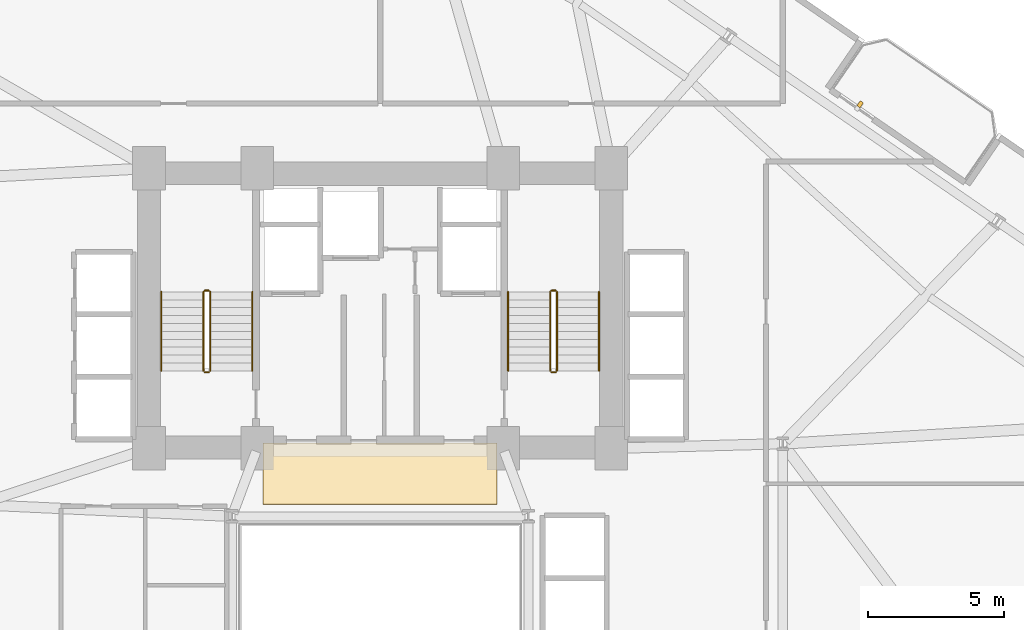
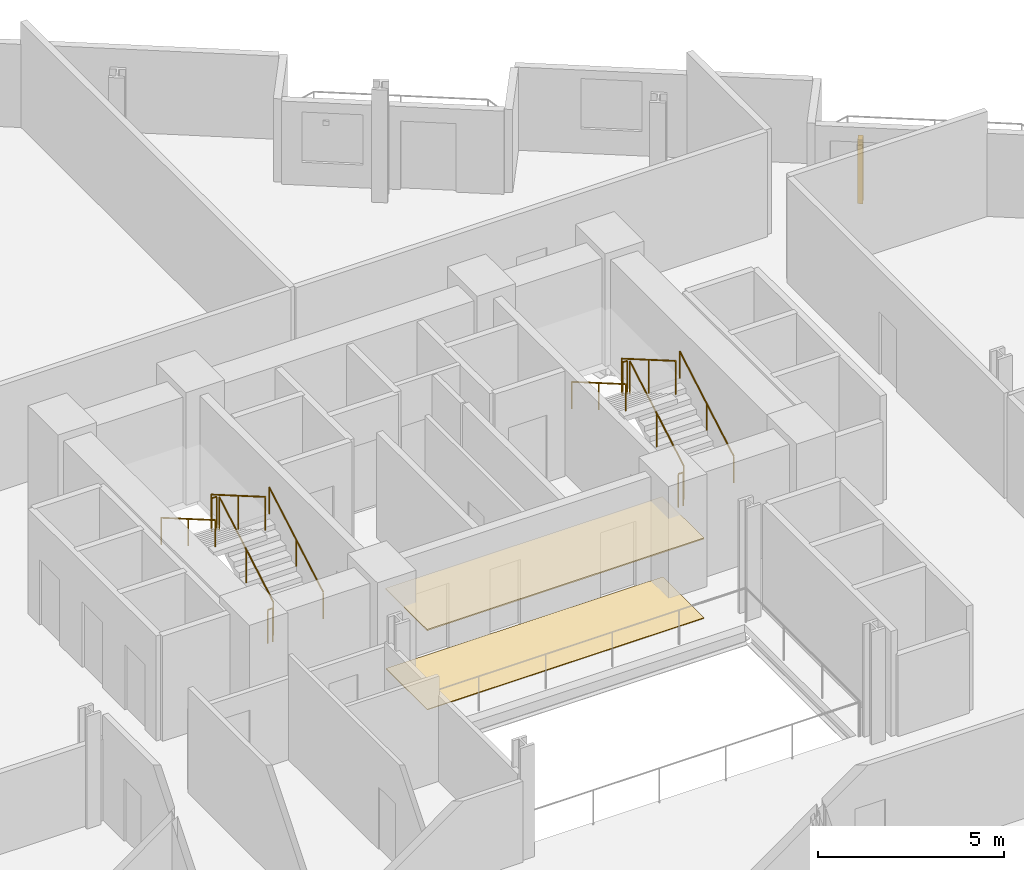
# One storey, part 23 of 24: 12 railings, 2 coverings, 1 shading device.
"""IFC4 building model written with IfcOpenShell, lengths in metres."""

import ifcopenshell
import ifcopenshell.guid

model = None  # the IFC model being written
_history = None  # IfcOwnerHistory: only IFC2X3 demands one
_inside = {}  # id of a spatial element -> (the spatial element, [elements in it])
_under = {}  # id of a project, library or spatial element -> (it, [spatial elements below it])
_declared = {}  # id of a project -> (the project, [libraries it declares])
_typed = {}  # id of a type object -> (the type object, [elements of that type])
_made_of = {}  # id of a material, layer set ... -> (it, [elements and type objects made of it])


def new_model(schema):
    """Start an empty IFC model of exactly this schema.

    Asked for "IFC4X3", IfcOpenShell would pick the latest addendum, in which some entities
    have other attributes; the version numbers below select the first issue.
    IFC2X3 requires an IfcOwnerHistory on every rooted entity: one is made here for all.
    """
    global model, _history
    if schema == "IFC4X3":
        model = ifcopenshell.file(schema_version=(4, 3, 0, 0))
    else:
        model = ifcopenshell.file(schema=schema)
    _inside.clear()
    _under.clear()
    _declared.clear()
    _typed.clear()
    _made_of.clear()
    _history = None
    if model.schema == "IFC2X3":
        org = make("IfcOrganization", Name="unknown")
        user = make(
            "IfcPersonAndOrganization",
            ThePerson=make("IfcPerson", FamilyName="unknown"),
            TheOrganization=org,
        )
        app = make(
            "IfcApplication",
            ApplicationDeveloper=org,
            Version="unknown",
            ApplicationFullName="unknown",
            ApplicationIdentifier="unknown",
        )
        _history = make(
            "IfcOwnerHistory",
            OwningUser=user,
            OwningApplication=app,
            ChangeAction="ADDED",
            CreationDate=0,
        )
    return model


def make(cls, **values):
    """One entity of the class cls with the attributes given. An attribute that is None is left unset."""
    return model.create_entity(
        cls, **{name: value for name, value in values.items() if value is not None}
    )


def rooted(cls, **values):
    """An entity with a GlobalId (a new one), such as an element, a storey or a relation."""
    return make(cls, GlobalId=ifcopenshell.guid.new(), OwnerHistory=_history, **values)


def si_unit(unit_type, name, prefix=None):
    """IfcSIUnit, for example si_unit("LENGTHUNIT", "METRE", prefix="MILLI")."""
    return make("IfcSIUnit", UnitType=unit_type, Prefix=prefix, Name=name)


def assignment(units):
    """IfcUnitAssignment: the units of a project."""
    return None if units is None else make("IfcUnitAssignment", Units=units)


def point(xyz):
    """IfcCartesianPoint."""
    return None if xyz is None else make("IfcCartesianPoint", Coordinates=xyz)


def direction(xyz):
    """IfcDirection."""
    return None if xyz is None else make("IfcDirection", DirectionRatios=xyz)


def frame(location, z_axis=None, x_axis=None):
    """IfcAxis2Placement3D, a coordinate frame: its origin and axes. An axis left out is left unset."""
    return make(
        "IfcAxis2Placement3D",
        Location=point(location),
        Axis=direction(z_axis),
        RefDirection=direction(x_axis),
    )


def frame_2d(location, x_axis=None):
    """IfcAxis2Placement2D, a coordinate frame in the plane: its origin and x axis."""
    return make(
        "IfcAxis2Placement2D", Location=point(location), RefDirection=direction(x_axis)
    )


def origin():
    """The frame at (0, 0, 0) with its axes left unset."""
    return frame((0.0, 0.0, 0.0))


def origin_2d():
    """The frame at (0, 0) in the plane with its x axis left unset."""
    return frame_2d((0.0, 0.0))


def place(relative_to, where):
    """IfcLocalPlacement: puts the frame where relative to a parent placement (None: the world)."""
    return make(
        "IfcLocalPlacement", PlacementRelTo=relative_to, RelativePlacement=where
    )


def context(
    kind, dimensions, precision=None, world=None, true_north=None, identifier=None
):
    """IfcGeometricRepresentationContext, for example the 3D "Model" context."""
    return make(
        "IfcGeometricRepresentationContext",
        ContextIdentifier=identifier,
        ContextType=kind,
        CoordinateSpaceDimension=dimensions,
        Precision=precision,
        WorldCoordinateSystem=world,
        TrueNorth=true_north,
    )


def subcontext(parent, identifier, kind, view, scale=None):
    """IfcGeometricRepresentationSubContext, for example "Body" below "Model"."""
    return make(
        "IfcGeometricRepresentationSubContext",
        ContextIdentifier=identifier,
        ContextType=kind,
        ParentContext=parent,
        TargetScale=scale,
        TargetView=view,
    )


def project(units=None, contexts=None):
    """IfcProject with its units and contexts."""
    return rooted(
        "IfcProject",
        Name="project",
        RepresentationContexts=contexts,
        UnitsInContext=assignment(units),
    )


def spatial(cls, under=None, at=None, **own):
    """A site, building, storey or space (cls), placed at a placement, below another one or the project."""
    s = rooted(cls, ObjectPlacement=at, **own)
    if under is not None:
        _under.setdefault(under.id(), (under, []))[1].append(s)
    return s


def profile(cls, at=None, kind="AREA", **sizes):
    """A parametric profile (cls). Its sizes go by their IFC names, for example OverallWidth=200.0."""
    return make(cls, ProfileType=kind, Position=at, **sizes)


def rectangle(**sizes):
    """IfcRectangleProfileDef."""
    return profile("IfcRectangleProfileDef", **sizes)


def circle(**sizes):
    """IfcCircleProfileDef."""
    return profile("IfcCircleProfileDef", **sizes)


def extrude(swept, where, along, depth):
    """IfcExtrudedAreaSolid: the profile swept, set in the frame where, extruded along a direction by depth."""
    return make(
        "IfcExtrudedAreaSolid",
        SweptArea=swept,
        Position=where,
        ExtrudedDirection=direction(along),
        Depth=depth,
    )


def shape(context_of_items, identifier, shape_type, items):
    """IfcShapeRepresentation: the items that make up one representation, for example the "Body"."""
    return make(
        "IfcShapeRepresentation",
        ContextOfItems=context_of_items,
        RepresentationIdentifier=identifier,
        RepresentationType=shape_type,
        Items=items,
    )


def source(mapping_origin, context_of_items, identifier, shape_type, items):
    """IfcRepresentationMap: a shape defined once, which mapped items show again and again."""
    return make(
        "IfcRepresentationMap",
        MappingOrigin=mapping_origin,
        MappedRepresentation=shape(context_of_items, identifier, shape_type, items),
    )


def transform(
    local_origin,
    x_axis=None,
    y_axis=None,
    z_axis=None,
    scale=None,
    scale2=None,
    scale3=None,
    uniform=True,
):
    """IfcCartesianTransformationOperator3D, or its non-uniform kind. x_axis, y_axis, z_axis: its Axis1, 2, 3."""
    if uniform:
        return make(
            "IfcCartesianTransformationOperator3D",
            Axis1=direction(x_axis),
            Axis2=direction(y_axis),
            LocalOrigin=point(local_origin),
            Scale=scale,
            Axis3=direction(z_axis),
        )
    return make(
        "IfcCartesianTransformationOperator3DnonUniform",
        Axis1=direction(x_axis),
        Axis2=direction(y_axis),
        LocalOrigin=point(local_origin),
        Scale=scale,
        Axis3=direction(z_axis),
        Scale2=scale2,
        Scale3=scale3,
    )


def mapped(mapping_source, mapping_target):
    """IfcMappedItem: shows the shape of a source again, moved by a transform."""
    return make(
        "IfcMappedItem", MappingSource=mapping_source, MappingTarget=mapping_target
    )


def material(Name=None, Category=None):
    """IfcMaterial."""
    return make("IfcMaterial", Name=Name, Category=Category)


def layer(
    of_material, thickness, ventilated=None, Name=None, Category=None, Priority=None
):
    """IfcMaterialLayer: one layer of a wall or slab, of a material (None: an air gap)."""
    return make(
        "IfcMaterialLayer",
        Material=of_material,
        LayerThickness=thickness,
        IsVentilated=ventilated,
        Name=Name,
        Category=Category,
        Priority=Priority,
    )


def layer_set(layers, Name=None):
    """IfcMaterialLayerSet."""
    return make("IfcMaterialLayerSet", MaterialLayers=layers, LayerSetName=Name)


def made_of(thing, what):
    """Note that an element or type object is made of a material, layer set ...; save() writes the relation."""
    if what is not None:
        _made_of.setdefault(what.id(), (what, []))[1].append(thing)
    return thing


def type_object(cls, material=None, **own):
    """A type object (cls), such as IfcWallType, which elements share."""
    return made_of(rooted(cls, **own), material)


def element(
    cls,
    number,
    at=None,
    inside=None,
    cuts=None,
    type_object=None,
    material=None,
    context=None,
    identifier="Body",
    shape_type=None,
    held_by="IfcProductDefinitionShape",
    body=None,
    shapes=None,
    **own,
):
    """One element of the class cls, such as IfcWall. Its Tag is "e" and its number.

    at: its placement. inside: the storey or other place that contains it. cuts: it is an
    opening in that element (IfcRelVoidsElement). A single representation is given by context,
    identifier, shape_type and body (its items); several are given by shapes. held_by: the class
    of the entity that holds the representations. save() writes the other relations.
    """
    e = rooted(cls, Tag="e%d" % number, ObjectPlacement=at, **own)
    if body is not None:
        shapes = [shape(context, identifier, shape_type, body)]
    if shapes is not None:
        e.Representation = make(held_by, Representations=shapes)
    if inside is not None:
        _inside.setdefault(inside.id(), (inside, []))[1].append(e)
    if cuts is not None:
        rooted(
            "IfcRelVoidsElement", RelatingBuildingElement=cuts, RelatedOpeningElement=e
        )
    if type_object is not None:
        _typed.setdefault(type_object.id(), (type_object, []))[1].append(e)
    return made_of(e, material)


def aggregate(whole, parts):
    """IfcRelAggregates: a whole, such as a stair, and the parts it consists of."""
    return rooted("IfcRelAggregates", RelatingObject=whole, RelatedObjects=parts)


def save(model, path):
    """Write the relations noted so far, then the file.

    IfcRelAggregates (storeys below a building ...), IfcRelContainedInSpatialStructure (elements
    in a storey), IfcRelDefinesByType, IfcRelAssociatesMaterial and IfcRelDeclares: one each for
    every whole, place, type object, material and project.
    """
    for whole, parts in _under.values():
        aggregate(whole, parts)
    for where, things in _inside.values():
        rooted(
            "IfcRelContainedInSpatialStructure",
            RelatedElements=things,
            RelatingStructure=where,
        )
    for kind, things in _typed.values():
        rooted("IfcRelDefinesByType", RelatedObjects=things, RelatingType=kind)
    for what, things in _made_of.values():
        rooted("IfcRelAssociatesMaterial", RelatedObjects=things, RelatingMaterial=what)
    for by, libraries in _declared.values():
        rooted("IfcRelDeclares", RelatingContext=by, RelatedDefinitions=libraries)
    model.write(path)


model = new_model("IFC4")

# Units and contexts
model_context = context("Model", 3, precision=1e-05, world=origin(), true_north=direction((0.0, 1.0)))
body_context = subcontext(model_context, "Body", "Model", "MODEL_VIEW")
ifc_project = project(units=[si_unit("LENGTHUNIT", "METRE"), si_unit("AREAUNIT", "SQUARE_METRE"), si_unit("VOLUMEUNIT", "CUBIC_METRE"), si_unit("PLANEANGLEUNIT", "RADIAN"), si_unit("MASSUNIT", "GRAM", prefix="KILO")], contexts=[model_context])

# Site, building, storey
site_placement = place(None, origin())
site = spatial("IfcSite", under=ifc_project, at=site_placement, CompositionType="ELEMENT")
building_placement = place(site_placement, origin())
building = spatial("IfcBuilding", under=site, at=building_placement, Name="Varnelok Gate Tower", CompositionType="ELEMENT")
storey_placement = place(building_placement, frame((0.0, 0.0, 41.800048828125)))
storey = spatial("IfcBuildingStorey", under=building, at=storey_placement, Name="L09", CompositionType="ELEMENT", Elevation=41.800048828125)

# Railings
ifc_material_1 = material(Name="Brushed Stainless Steel AISI 316", Category="steel")
railing_type_1 = type_object("IfcRailingType", Name="RL-HANDRAIL-900", PredefinedType="HANDRAIL", material=ifc_material_1)
railing_1_placement = place(storey_placement, frame((34.5, 31.60009765625, 0.168212890625)))
element("IfcRailing", 1, at=railing_1_placement, inside=storey, type_object=railing_type_1, Name="L09 ST-1 stair handrail 1", PredefinedType="HANDRAIL", context=body_context, shape_type="SweptSolid", body=[
    extrude(circle(Radius=0.02392578125, at=origin_2d()), frame((0.0, 0.0, 0.8759765625), z_axis=(0.0, 0.86507038078, 0.501650512107), x_axis=(-1.0, 0.0, 0.0)), (0.0, 0.0, 1.0), 3.352294921875),
    extrude(circle(Radius=0.02099609375, at=origin_2d()), origin(), (0.0, 0.0, 1.0), 0.851806640625),
    extrude(circle(Radius=0.02099609375, at=origin_2d()), frame((0.0, 1.449951171875, 0.8408203125)), (0.0, 0.0, 1.0), 0.851806640625),
    extrude(circle(Radius=0.02099609375, at=origin_2d()), frame((0.0, 2.89990234375, 1.681640625)), (0.0, 0.0, 1.0), 0.851806640625),
])
railing_2_placement = place(storey_placement, frame((31.14990234375, 34.5, 2.01806640625)))
element("IfcRailing", 2, at=railing_2_placement, inside=storey, type_object=railing_type_1, Name="L09 ST-1 stair handrail 2", PredefinedType="HANDRAIL", context=body_context, shape_type="SweptSolid", body=[
    extrude(circle(Radius=0.02392578125, at=origin_2d()), frame((0.0, 0.0, 0.8759765625), z_axis=(0.0, -0.865038774852, 0.501705010941), x_axis=(1.0, 0.0, 0.0)), (0.0, 0.0, 1.0), 3.352294921875),
    extrude(circle(Radius=0.02099609375, at=origin_2d()), origin(), (0.0, 0.0, 1.0), 0.851806640625),
    extrude(circle(Radius=0.02099609375, at=origin_2d()), frame((0.0, -1.449951171875, 0.8408203125)), (0.0, 0.0, 1.0), 0.851806640625),
    extrude(circle(Radius=0.02099609375, at=origin_2d()), frame((0.0, -2.89990234375, 1.681884765625)), (0.0, 0.0, 1.0), 0.851806640625),
])
railing_3_placement = place(storey_placement, frame((47.25, 31.60009765625, 0.168212890625)))
element("IfcRailing", 3, at=railing_3_placement, inside=storey, type_object=railing_type_1, Name="L09 ST-2 stair handrail 1", PredefinedType="HANDRAIL", context=body_context, shape_type="SweptSolid", body=[
    extrude(circle(Radius=0.02392578125, at=origin_2d()), frame((0.0, 0.0, 0.8759765625), z_axis=(0.0, 0.86507038078, 0.501650512107), x_axis=(-1.0, 0.0, 0.0)), (0.0, 0.0, 1.0), 3.352294921875),
    extrude(circle(Radius=0.02099609375, at=origin_2d()), origin(), (0.0, 0.0, 1.0), 0.851806640625),
    extrude(circle(Radius=0.02099609375, at=origin_2d()), frame((0.0, 1.449951171875, 0.8408203125)), (0.0, 0.0, 1.0), 0.851806640625),
    extrude(circle(Radius=0.02099609375, at=origin_2d()), frame((0.0, 2.89990234375, 1.681640625)), (0.0, 0.0, 1.0), 0.851806640625),
])
railing_4_placement = place(storey_placement, frame((43.89990234375, 34.5, 2.01806640625)))
element("IfcRailing", 4, at=railing_4_placement, inside=storey, type_object=railing_type_1, Name="L09 ST-2 stair handrail 2", PredefinedType="HANDRAIL", context=body_context, shape_type="SweptSolid", body=[
    extrude(circle(Radius=0.02392578125, at=origin_2d()), frame((0.0, 0.0, 0.8759765625), z_axis=(0.0, -0.865038774852, 0.501705010941), x_axis=(1.0, 0.0, 0.0)), (0.0, 0.0, 1.0), 3.352294921875),
    extrude(circle(Radius=0.02099609375, at=origin_2d()), origin(), (0.0, 0.0, 1.0), 0.851806640625),
    extrude(circle(Radius=0.02099609375, at=origin_2d()), frame((0.0, -1.449951171875, 0.8408203125)), (0.0, 0.0, 1.0), 0.851806640625),
    extrude(circle(Radius=0.02099609375, at=origin_2d()), frame((0.0, -2.89990234375, 1.681884765625)), (0.0, 0.0, 1.0), 0.851806640625),
])
ifc_material_2 = material(Name="Galvanized Steel Grade S350GD", Category="steel")
railing_type_2 = type_object("IfcRailingType", Name="RL-STAIR-GUARD1120", PredefinedType="GUARDRAIL", material=ifc_material_2)
railing_5_placement = place(storey_placement, frame((32.949951171875, 31.60009765625, 0.168212890625)))
element("IfcRailing", 5, at=railing_5_placement, inside=storey, type_object=railing_type_2, Name="L09 ST-1 stair guard 1", PredefinedType="GUARDRAIL", context=body_context, shape_type="SweptSolid", body=[
    extrude(circle(Radius=0.02392578125, at=origin_2d()), frame((0.0, 0.0, 1.09619140625), z_axis=(0.0, 0.86507038078, 0.501650512107), x_axis=(-1.0, 0.0, 0.0)), (0.0, 0.0, 1.0), 3.352294921875),
    extrude(circle(Radius=0.02099609375, at=origin_2d()), origin(), (0.0, 0.0, 1.0), 1.072021484375),
    extrude(circle(Radius=0.02099609375, at=origin_2d()), frame((0.0, 1.449951171875, 0.8408203125)), (0.0, 0.0, 1.0), 1.072021484375),
    extrude(circle(Radius=0.02099609375, at=origin_2d()), frame((0.0, 2.89990234375, 1.681640625)), (0.0, 0.0, 1.0), 1.072021484375),
])
railing_6_placement = place(storey_placement, frame((32.89990234375, 34.550048828125, 1.849853515625)))
element("IfcRailing", 6, at=railing_6_placement, inside=storey, type_object=railing_type_2, Name="L09 ST-1 stair guard 2", PredefinedType="GUARDRAIL", context=body_context, shape_type="SweptSolid", body=[
    extrude(circle(Radius=0.02392578125, at=origin_2d()), frame((0.0, 0.0, 1.09619140625), z_axis=(-1.0, 0.0, 0.0), x_axis=(0.0, -1.0, 0.0)), (0.0, 0.0, 1.0), 0.14990234375),
    extrude(circle(Radius=0.02099609375, at=origin_2d()), origin(), (0.0, 0.0, 1.0), 1.072021484375),
    extrude(circle(Radius=0.02099609375, at=origin_2d()), frame((-0.14990234375, 0.0, 0.0)), (0.0, 0.0, 1.0), 1.072021484375),
])
railing_7_placement = place(storey_placement, frame((32.699951171875, 34.5, 2.01806640625)))
element("IfcRailing", 7, at=railing_7_placement, inside=storey, type_object=railing_type_2, Name="L09 ST-1 stair guard 3", PredefinedType="GUARDRAIL", context=body_context, shape_type="SweptSolid", body=[
    extrude(circle(Radius=0.02392578125, at=origin_2d()), frame((0.0, 0.0, 1.09619140625), z_axis=(0.0, -0.865038774852, 0.501705010941), x_axis=(1.0, 0.0, 0.0)), (0.0, 0.0, 1.0), 3.352294921875),
    extrude(circle(Radius=0.02099609375, at=origin_2d()), origin(), (0.0, 0.0, 1.0), 1.072021484375),
    extrude(circle(Radius=0.02099609375, at=origin_2d()), frame((0.0, -1.449951171875, 0.8408203125)), (0.0, 0.0, 1.0), 1.072021484375),
    extrude(circle(Radius=0.02099609375, at=origin_2d()), frame((0.0, -2.89990234375, 1.681884765625)), (0.0, 0.0, 1.0), 1.072021484375),
])
railing_8_placement = place(storey_placement, frame((32.89990234375, 31.550048828125, 0.0)))
element("IfcRailing", 8, at=railing_8_placement, inside=storey, type_object=railing_type_2, Name="L09 ST-1 stair guard 4", PredefinedType="GUARDRAIL", context=body_context, shape_type="SweptSolid", body=[
    extrude(circle(Radius=0.02392578125, at=origin_2d()), frame((0.0, 0.0, 1.09619140625), z_axis=(-1.0, 0.0, 0.0), x_axis=(0.0, -1.0, 0.0)), (0.0, 0.0, 1.0), 0.14990234375),
    extrude(circle(Radius=0.02099609375, at=origin_2d()), origin(), (0.0, 0.0, 1.0), 1.072021484375),
    extrude(circle(Radius=0.02099609375, at=origin_2d()), frame((-0.14990234375, 0.0, 0.0)), (0.0, 0.0, 1.0), 1.072021484375),
])
railing_9_placement = place(storey_placement, frame((45.699951171875, 31.60009765625, 0.168212890625)))
element("IfcRailing", 9, at=railing_9_placement, inside=storey, type_object=railing_type_2, Name="L09 ST-2 stair guard 1", PredefinedType="GUARDRAIL", context=body_context, shape_type="SweptSolid", body=[
    extrude(circle(Radius=0.02392578125, at=origin_2d()), frame((0.0, 0.0, 1.09619140625), z_axis=(0.0, 0.86507038078, 0.501650512107), x_axis=(-1.0, 0.0, 0.0)), (0.0, 0.0, 1.0), 3.352294921875),
    extrude(circle(Radius=0.02099609375, at=origin_2d()), origin(), (0.0, 0.0, 1.0), 1.072021484375),
    extrude(circle(Radius=0.02099609375, at=origin_2d()), frame((0.0, 1.449951171875, 0.8408203125)), (0.0, 0.0, 1.0), 1.072021484375),
    extrude(circle(Radius=0.02099609375, at=origin_2d()), frame((0.0, 2.89990234375, 1.681640625)), (0.0, 0.0, 1.0), 1.072021484375),
])
railing_10_placement = place(storey_placement, frame((45.64990234375, 34.550048828125, 1.849853515625)))
element("IfcRailing", 10, at=railing_10_placement, inside=storey, type_object=railing_type_2, Name="L09 ST-2 stair guard 2", PredefinedType="GUARDRAIL", context=body_context, shape_type="SweptSolid", body=[
    extrude(circle(Radius=0.02392578125, at=origin_2d()), frame((0.0, 0.0, 1.09619140625), z_axis=(-1.0, 0.0, 0.0), x_axis=(0.0, -1.0, 0.0)), (0.0, 0.0, 1.0), 0.14990234375),
    extrude(circle(Radius=0.02099609375, at=origin_2d()), origin(), (0.0, 0.0, 1.0), 1.072021484375),
    extrude(circle(Radius=0.02099609375, at=origin_2d()), frame((-0.14990234375, 0.0, 0.0)), (0.0, 0.0, 1.0), 1.072021484375),
])
railing_11_placement = place(storey_placement, frame((45.449951171875, 34.5, 2.01806640625)))
element("IfcRailing", 11, at=railing_11_placement, inside=storey, type_object=railing_type_2, Name="L09 ST-2 stair guard 3", PredefinedType="GUARDRAIL", context=body_context, shape_type="SweptSolid", body=[
    extrude(circle(Radius=0.02392578125, at=origin_2d()), frame((0.0, 0.0, 1.09619140625), z_axis=(0.0, -0.865038774852, 0.501705010941), x_axis=(1.0, 0.0, 0.0)), (0.0, 0.0, 1.0), 3.352294921875),
    extrude(circle(Radius=0.02099609375, at=origin_2d()), origin(), (0.0, 0.0, 1.0), 1.072021484375),
    extrude(circle(Radius=0.02099609375, at=origin_2d()), frame((0.0, -1.449951171875, 0.8408203125)), (0.0, 0.0, 1.0), 1.072021484375),
    extrude(circle(Radius=0.02099609375, at=origin_2d()), frame((0.0, -2.89990234375, 1.681884765625)), (0.0, 0.0, 1.0), 1.072021484375),
])
railing_12_placement = place(storey_placement, frame((45.64990234375, 31.550048828125, 0.0)))
element("IfcRailing", 12, at=railing_12_placement, inside=storey, type_object=railing_type_2, Name="L09 ST-2 stair guard 4", PredefinedType="GUARDRAIL", context=body_context, shape_type="SweptSolid", body=[
    extrude(circle(Radius=0.02392578125, at=origin_2d()), frame((0.0, 0.0, 1.09619140625), z_axis=(-1.0, 0.0, 0.0), x_axis=(0.0, -1.0, 0.0)), (0.0, 0.0, 1.0), 0.14990234375),
    extrude(circle(Radius=0.02099609375, at=origin_2d()), origin(), (0.0, 0.0, 1.0), 1.072021484375),
    extrude(circle(Radius=0.02099609375, at=origin_2d()), frame((-0.14990234375, 0.0, 0.0)), (0.0, 0.0, 1.0), 1.072021484375),
])

# Shading device
ifc_material_3 = material(Name="Glazed Architectural Terracotta Ceramic", Category="masonry")
shading_device_type = type_object("IfcShadingDeviceType", Name="SHD-TERRA-FIN", PredefinedType="USERDEFINED", material=ifc_material_3)
shared_shape_1 = source(origin(), body_context, "Body", "SweptSolid", [
    extrude(rectangle(XDim=0.139892578125, YDim=0.219970703125, at=origin_2d()), origin(), (0.0, 0.0, 1.0), 2.10009765625),
])
shading_device_placement = place(storey_placement, frame((56.847412109375, 41.400390625, 0.099853515625), z_axis=(0.0, 0.0, 1.0), x_axis=(0.823532597628, -0.567268949127, 0.0)))
element("IfcShadingDevice", 13, at=shading_device_placement, inside=storey, type_object=shading_device_type, Name="L09 Terracotta Ceramic Baguette Sunscreen 4.1", ObjectType="BAGUETTE", PredefinedType="USERDEFINED", context=body_context, shape_type="MappedRepresentation", body=[
    mapped(shared_shape_1, transform((0.0, 0.0, 0.0), scale=1.0)),
])

# Coverings
ifc_material_4 = material(Name="Honed Travertine Stone Flooring", Category="masonry")
ifc_layer_1 = layer(ifc_material_4, 0.02490234375)
ifc_layer_set_1 = layer_set([ifc_layer_1], Name="Honed Travertine Stone Flooring")
covering_type_1 = type_object("IfcCoveringType", Name="COV-FLOR-STONE", PredefinedType="FLOORING", material=ifc_layer_set_1)
shared_shape_2 = source(origin(), body_context, "Body", "SweptSolid", [
    extrude(rectangle(XDim=8.60009765625, YDim=2.219970703125, at=origin_2d()), origin(), (0.0, 0.0, 1.0), 0.02490234375),
])
covering_1_placement = place(storey_placement, frame((39.199951171875, 27.800048828125, 0.0), z_axis=(0.0, 0.0, 1.0), x_axis=(1.0, 0.0, 0.0)))
element("IfcCovering", 14, at=covering_1_placement, inside=storey, type_object=covering_type_1, Name="L09 Core Gallery Stone Flooring", PredefinedType="FLOORING", context=body_context, shape_type="MappedRepresentation", body=[
    mapped(shared_shape_2, transform((0.0, 0.0, 0.0), scale=1.0)),
])
ifc_material_5 = material(Name="Mineral Fiber Acoustic Ceiling Tile")
ifc_layer_2 = layer(ifc_material_5, 0.0400390625)
ifc_layer_set_2 = layer_set([ifc_layer_2], Name="Mineral Fiber Acoustic Ceiling Tile")
covering_type_2 = type_object("IfcCoveringType", Name="COV-CEIL-ACOUST", PredefinedType="CEILING", material=ifc_layer_set_2)
shared_shape_3 = source(origin(), body_context, "Body", "SweptSolid", [
    extrude(rectangle(XDim=8.60009765625, YDim=2.239990234375, at=origin_2d()), origin(), (0.0, 0.0, 1.0), 0.0400390625),
])
covering_2_placement = place(storey_placement, frame((39.199951171875, 27.820068359375, 2.599853515625), z_axis=(0.0, 0.0, 1.0), x_axis=(1.0, 0.0, 0.0)))
element("IfcCovering", 15, at=covering_2_placement, inside=storey, type_object=covering_type_2, Name="L09 Core Gallery Acoustic Ceiling", PredefinedType="CEILING", context=body_context, shape_type="MappedRepresentation", body=[
    mapped(shared_shape_3, transform((0.0, 0.0, 0.0), scale=1.0)),
])

save(model, "model.ifc")
